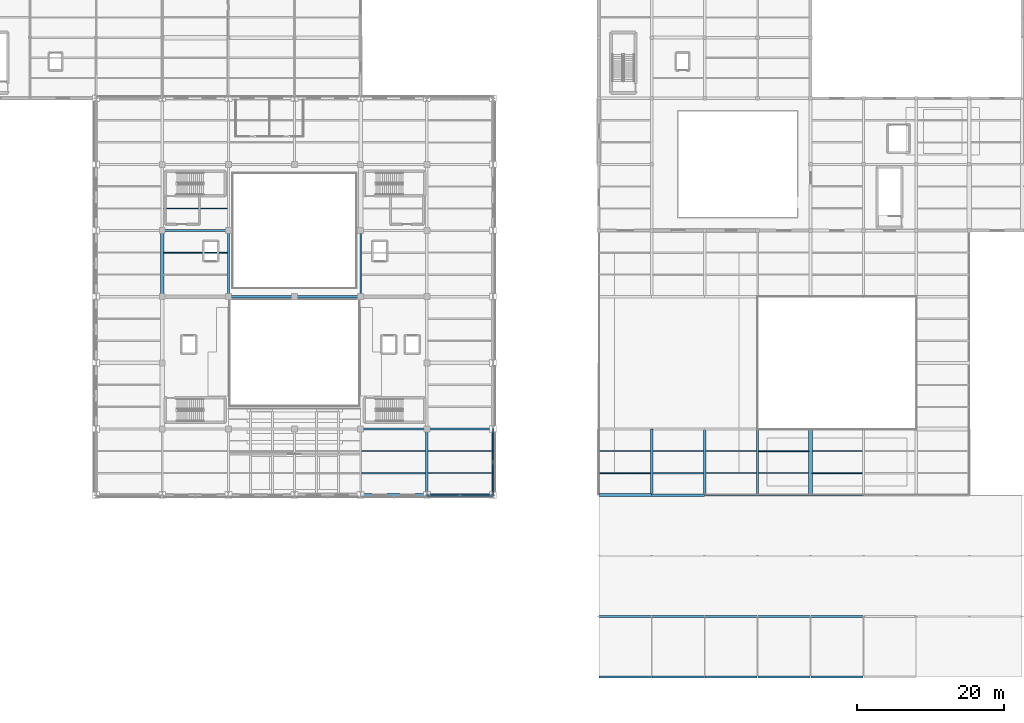
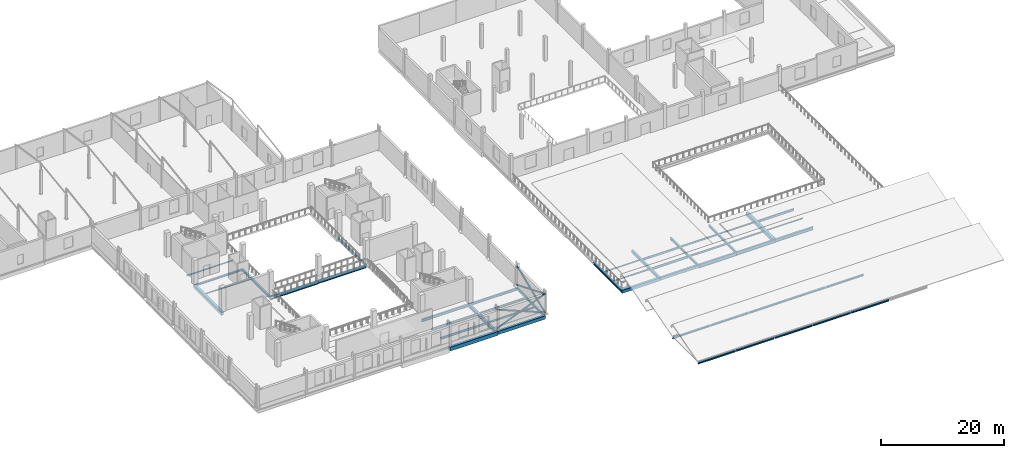
# One storey, part 9 of 54: 48 beams, 6 members.
"""IFC4 building model written with IfcOpenShell, lengths in metres."""

from ifc_helpers import new_model, si_unit, direction, frame, origin, origin_2d, place, context, subcontext, project, spatial, rectangle, hollow_circle, i_section, extrude, material, material_profile, profile_set, type_object, element, save


model = new_model("IFC4")

# Units and contexts
model_context = context("Model", 3, precision=1e-05, world=origin(), true_north=direction((0.0, 1.0)))
body_context = subcontext(model_context, "Body", "Model", "MODEL_VIEW")
ifc_project = project(units=[si_unit("LENGTHUNIT", "METRE"), si_unit("AREAUNIT", "SQUARE_METRE"), si_unit("VOLUMEUNIT", "CUBIC_METRE"), si_unit("PLANEANGLEUNIT", "RADIAN"), si_unit("MASSUNIT", "GRAM", prefix="KILO")], contexts=[model_context])

# Site, building, storey
site_placement = place(None, origin())
site = spatial("IfcSite", under=ifc_project, at=site_placement, CompositionType="ELEMENT")
building_placement = place(site_placement, origin())
building = spatial("IfcBuilding", under=site, at=building_placement, Name="Sundgate Opera House", CompositionType="ELEMENT")
storey_placement = place(building_placement, frame((0.0, 0.0, 16.800048828125)))
storey = spatial("IfcBuildingStorey", under=building, at=storey_placement, Name="L03", CompositionType="ELEMENT", Elevation=16.800048828125)

# Beams
ifc_material_1 = material(Name="Steel S355J2", Category="steel")
ifc_material_profile_1 = material_profile(ifc_material_1, i_section(OverallWidth=0.300048828125, OverallDepth=0.330078125, WebThickness=0.009521484375, FlangeThickness=0.0166015625, at=origin_2d()), Name="HEA 340")
ifc_profile_set_1 = profile_set([ifc_material_profile_1], Name="Steel S355J2")
beam_type_1 = type_object("IfcBeamType", Name="BM-GR-HEA340", PredefinedType="BEAM", material=ifc_profile_set_1)
beam_1_placement = place(storey_placement, frame((36.0, 69.0, -0.445068359375), z_axis=(1.0, 0.0, 0.0), x_axis=(0.0, 1.0, 0.0)))
element("IfcBeam", 1, at=beam_1_placement, inside=storey, type_object=beam_type_1, Name="L03 Primary E-W Girder B2622", PredefinedType="BEAM", context=body_context, shape_type="SweptSolid", body=[
    extrude(i_section(OverallWidth=0.300048828125, OverallDepth=0.330078125, WebThickness=0.009521484375, FlangeThickness=0.0166015625, at=origin_2d()), origin(), (0.0, 0.0, 1.0), 9.0),
])
ifc_material_2 = material(Name="Steel S355J2", Category="steel")
ifc_material_profile_2 = material_profile(ifc_material_2, i_section(OverallWidth=0.300048828125, OverallDepth=0.35009765625, WebThickness=0.010009765625, FlangeThickness=0.017578125, at=origin_2d()), Name="HEA 360")
ifc_profile_set_2 = profile_set([ifc_material_profile_2], Name="Steel S355J2")
beam_type_2 = type_object("IfcBeamType", Name="BM-GR-HEA360", PredefinedType="BEAM", material=ifc_profile_set_2)
beam_2_placement = place(storey_placement, frame((95.39990234375, 33.0, -0.485107421875), z_axis=(0.0, 1.0, 0.0), x_axis=(-1.0, 0.0, 0.0)))
element("IfcBeam", 2, at=beam_2_placement, inside=storey, type_object=beam_type_2, Name="L03 Primary N-S Girder B2511", PredefinedType="BEAM", context=body_context, shape_type="SweptSolid", body=[
    extrude(i_section(OverallWidth=0.300048828125, OverallDepth=0.35009765625, WebThickness=0.010009765625, FlangeThickness=0.017578125, at=origin_2d()), origin(), (0.0, 0.0, 1.0), 9.0),
])
ifc_material_3 = material(Name="Steel S355J2", Category="steel")
ifc_material_profile_3 = material_profile(ifc_material_3, i_section(OverallWidth=0.300048828125, OverallDepth=0.389892578125, WebThickness=0.010986328125, FlangeThickness=0.01904296875, at=origin_2d()), Name="HEA 400")
ifc_profile_set_3 = profile_set([ifc_material_profile_3], Name="Steel S355J2")
beam_type_3 = type_object("IfcBeamType", Name="BM-GR-HEA400", PredefinedType="BEAM", material=ifc_profile_set_3)
beam_3_placement = place(storey_placement, frame((117.0, 33.0, -0.505126953125), z_axis=(0.0, 1.0, 0.0), x_axis=(-1.0, 0.0, 0.0)))
element("IfcBeam", 3, at=beam_3_placement, inside=storey, type_object=beam_type_3, Name="L03 Primary N-S Girder B2532", PredefinedType="BEAM", context=body_context, shape_type="SweptSolid", body=[
    extrude(i_section(OverallWidth=0.300048828125, OverallDepth=0.389892578125, WebThickness=0.010986328125, FlangeThickness=0.01904296875, at=origin_2d()), origin(), (0.0, 0.0, 1.0), 9.0),
])
ifc_material_4 = material(Name="Steel S355J2", Category="steel")
ifc_material_profile_4 = material_profile(ifc_material_4, i_section(OverallWidth=0.300048828125, OverallDepth=0.43994140625, WebThickness=0.011474609375, FlangeThickness=0.02099609375, at=origin_2d()), Name="HEA 450")
ifc_profile_set_4 = profile_set([ifc_material_profile_4], Name="Steel S355J2")
beam_type_4 = type_object("IfcBeamType", Name="BM-GR-HEA450", PredefinedType="BEAM", material=ifc_profile_set_4)
beam_4_placement = place(storey_placement, frame((72.0, 42.0, -0.5), z_axis=(1.0, 0.0, 0.0), x_axis=(0.0, 1.0, 0.0)))
element("IfcBeam", 4, at=beam_4_placement, inside=storey, type_object=beam_type_4, Name="L03 Primary E-W Girder B2597", PredefinedType="BEAM", context=body_context, shape_type="SweptSolid", body=[
    extrude(i_section(OverallWidth=0.300048828125, OverallDepth=0.43994140625, WebThickness=0.011474609375, FlangeThickness=0.02099609375, at=origin_2d()), origin(), (0.0, 0.0, 1.0), 9.0),
])
ifc_material_5 = material(Name="Steel S355J2", Category="steel")
ifc_material_profile_5 = material_profile(ifc_material_5, i_section(OverallWidth=0.300048828125, OverallDepth=0.489990234375, WebThickness=0.011962890625, FlangeThickness=0.02294921875, at=origin_2d()), Name="HEA 500")
ifc_profile_set_5 = profile_set([ifc_material_profile_5], Name="Steel S355J2")
beam_type_5 = type_object("IfcBeamType", Name="BM-GR-HEA500", PredefinedType="BEAM", material=ifc_profile_set_5)
beam_5_placement = place(storey_placement, frame((63.0, 42.0, -0.525146484375), z_axis=(1.0, 0.0, 0.0), x_axis=(0.0, 1.0, 0.0)))
element("IfcBeam", 5, at=beam_5_placement, inside=storey, type_object=beam_type_5, Name="L03 Primary E-W Girder B2596", PredefinedType="BEAM", context=body_context, shape_type="SweptSolid", body=[
    extrude(i_section(OverallWidth=0.300048828125, OverallDepth=0.489990234375, WebThickness=0.011962890625, FlangeThickness=0.02294921875, at=origin_2d()), origin(), (0.0, 0.0, 1.0), 9.0),
])
ifc_material_6 = material(Name="Steel S355J2", Category="steel")
ifc_material_profile_6 = material_profile(ifc_material_6, i_section(OverallWidth=0.300048828125, OverallDepth=0.39990234375, WebThickness=0.013427734375, FlangeThickness=0.02392578125, at=origin_2d()), Name="HEB 400")
ifc_profile_set_6 = profile_set([ifc_material_profile_6], Name="Steel S355J2")
beam_type_6 = type_object("IfcBeamType", Name="BM-GR-HEB400", PredefinedType="BEAM", material=ifc_profile_set_6)
for number, where, z_axis, x_axis, name in (
    (6, (81.0, 33.0, -0.47998046875), (0.0, 1.0, 0.0), (-1.0, 0.0, 0.0), "L03 Primary N-S Girder B2505"),
    (7, (109.800048828125, 33.0, -0.510009765625), (0.0, 1.0, 0.0), (-1.0, 0.0, 0.0), "L03 Primary N-S Girder B2527"),
):
    element("IfcBeam", number, at=place(storey_placement, frame(where, z_axis=z_axis, x_axis=x_axis)), inside=storey, type_object=beam_type_6, Name=name, PredefinedType="BEAM", context=body_context, shape_type="SweptSolid", body=[
        extrude(i_section(OverallWidth=0.300048828125, OverallDepth=0.39990234375, WebThickness=0.013427734375, FlangeThickness=0.02392578125, at=origin_2d()), origin(), (0.0, 0.0, 1.0), 9.0),
    ])
ifc_material_7 = material(Name="Steel S355J2", Category="steel")
ifc_material_profile_7 = material_profile(ifc_material_7, i_section(OverallWidth=0.300048828125, OverallDepth=0.5, WebThickness=0.014404296875, FlangeThickness=0.028076171875, at=origin_2d()), Name="HEB 500")
ifc_profile_set_7 = profile_set([ifc_material_profile_7], Name="Steel S355J2")
beam_type_7 = type_object("IfcBeamType", Name="BM-GR-HEB500", PredefinedType="BEAM", material=ifc_profile_set_7)
beam_6_placement = place(storey_placement, frame((45.0, 60.0, -0.530029296875), z_axis=(0.0, 1.0, 0.0), x_axis=(-1.0, 0.0, 0.0)))
element("IfcBeam", 8, at=beam_6_placement, inside=storey, type_object=beam_type_7, Name="L03 Primary N-S Girder B2481", PredefinedType="BEAM", context=body_context, shape_type="SweptSolid", body=[
    extrude(i_section(OverallWidth=0.300048828125, OverallDepth=0.5, WebThickness=0.014404296875, FlangeThickness=0.028076171875, at=origin_2d()), origin(), (0.0, 0.0, 1.0), 9.0),
])
ifc_material_8 = material(Name="Steel S355J2", Category="steel")
ifc_material_profile_8 = material_profile(ifc_material_8, i_section(OverallWidth=0.300048828125, OverallDepth=0.60009765625, WebThickness=0.015380859375, FlangeThickness=0.030029296875, at=origin_2d()), Name="HEB 600")
ifc_profile_set_8 = profile_set([ifc_material_profile_8], Name="Steel S355J2")
beam_type_8 = type_object("IfcBeamType", Name="BM-GR-HEB600", PredefinedType="BEAM", material=ifc_profile_set_8)
beam_7_placement = place(storey_placement, frame((124.199951171875, 33.0, -0.610107421875), z_axis=(1.0, 0.0, 0.0), x_axis=(0.0, 1.0, 0.0)))
element("IfcBeam", 9, at=beam_7_placement, inside=storey, type_object=beam_type_8, Name="L03 Primary E-W Girder B2589", PredefinedType="BEAM", context=body_context, shape_type="SweptSolid", body=[
    extrude(i_section(OverallWidth=0.300048828125, OverallDepth=0.60009765625, WebThickness=0.015380859375, FlangeThickness=0.030029296875, at=origin_2d()), origin(), (0.0, 0.0, 1.0), 7.199951171875),
])
beam_8_placement = place(storey_placement, frame((54.0, 60.0, -0.580078125), z_axis=(1.0, 0.0, 0.0), x_axis=(0.0, 1.0, 0.0)))
element("IfcBeam", 10, at=beam_8_placement, inside=storey, type_object=beam_type_8, Name="L03 Primary E-W Girder B2611", PredefinedType="BEAM", context=body_context, shape_type="SweptSolid", body=[
    extrude(i_section(OverallWidth=0.300048828125, OverallDepth=0.60009765625, WebThickness=0.015380859375, FlangeThickness=0.030029296875, at=origin_2d()), origin(), (0.0, 0.0, 1.0), 9.0),
])
ifc_material_9 = material(Name="Steel S355J2", Category="steel")
ifc_material_profile_9 = material_profile(ifc_material_9, i_section(OverallWidth=0.300048828125, OverallDepth=0.64990234375, WebThickness=0.01611328125, FlangeThickness=0.031005859375, at=origin_2d()), Name="HEB 650")
ifc_profile_set_9 = profile_set([ifc_material_profile_9], Name="Steel S355J2")
beam_type_9 = type_object("IfcBeamType", Name="BM-GR-HEB650", PredefinedType="BEAM", material=ifc_profile_set_9)
beam_9_placement = place(storey_placement, frame((117.0, 33.0, -0.635009765625), z_axis=(1.0, 0.0, 0.0), x_axis=(0.0, 1.0, 0.0)))
element("IfcBeam", 11, at=beam_9_placement, inside=storey, type_object=beam_type_9, Name="L03 Primary E-W Girder B2588", PredefinedType="BEAM", context=body_context, shape_type="SweptSolid", body=[
    extrude(i_section(OverallWidth=0.300048828125, OverallDepth=0.64990234375, WebThickness=0.01611328125, FlangeThickness=0.031005859375, at=origin_2d()), origin(), (0.0, 0.0, 1.0), 7.199951171875),
])
beam_10_placement = place(storey_placement, frame((45.0, 60.0, -0.60498046875), z_axis=(1.0, 0.0, 0.0), x_axis=(0.0, 1.0, 0.0)))
element("IfcBeam", 12, at=beam_10_placement, inside=storey, type_object=beam_type_9, Name="L03 Primary E-W Girder B2610", PredefinedType="BEAM", context=body_context, shape_type="SweptSolid", body=[
    extrude(i_section(OverallWidth=0.300048828125, OverallDepth=0.64990234375, WebThickness=0.01611328125, FlangeThickness=0.031005859375, at=origin_2d()), origin(), (0.0, 0.0, 1.0), 9.0),
])
ifc_material_10 = material(Name="Steel S355J2", Category="steel")
ifc_material_profile_10 = material_profile(ifc_material_10, i_section(OverallWidth=0.300048828125, OverallDepth=0.699951171875, WebThickness=0.01708984375, FlangeThickness=0.031982421875, at=origin_2d()), Name="HEB 700")
ifc_profile_set_10 = profile_set([ifc_material_profile_10], Name="Steel S355J2")
beam_type_10 = type_object("IfcBeamType", Name="BM-GR-HEB700", PredefinedType="BEAM", material=ifc_profile_set_10)
beam_11_placement = place(storey_placement, frame((72.0, 33.0, -0.630126953125), z_axis=(0.0, 1.0, 0.0), x_axis=(-1.0, 0.0, 0.0)))
element("IfcBeam", 13, at=beam_11_placement, inside=storey, type_object=beam_type_10, Name="L03 Primary N-S Girder B2499", PredefinedType="BEAM", context=body_context, shape_type="SweptSolid", body=[
    extrude(i_section(OverallWidth=0.300048828125, OverallDepth=0.699951171875, WebThickness=0.01708984375, FlangeThickness=0.031982421875, at=origin_2d()), origin(), (0.0, 0.0, 1.0), 9.0),
])
beam_12_placement = place(storey_placement, frame((109.800048828125, 33.0, -0.66015625), z_axis=(1.0, 0.0, 0.0), x_axis=(0.0, 1.0, 0.0)))
element("IfcBeam", 14, at=beam_12_placement, inside=storey, type_object=beam_type_10, Name="L03 Primary E-W Girder B2587", PredefinedType="BEAM", context=body_context, shape_type="SweptSolid", body=[
    extrude(i_section(OverallWidth=0.300048828125, OverallDepth=0.699951171875, WebThickness=0.01708984375, FlangeThickness=0.031982421875, at=origin_2d()), origin(), (0.0, 0.0, 1.0), 7.199951171875),
])
ifc_material_11 = material(Name="Steel S355J2", Category="steel")
ifc_material_profile_11 = material_profile(ifc_material_11, i_section(OverallWidth=0.199951171875, OverallDepth=0.5, WebThickness=0.01025390625, FlangeThickness=0.01611328125, at=origin_2d()), Name="IPE 500")
ifc_profile_set_11 = profile_set([ifc_material_profile_11], Name="Steel S355J2")
beam_type_11 = type_object("IfcBeamType", Name="BM-GR-IPE500", PredefinedType="BEAM", material=ifc_profile_set_11)
beam_13_placement = place(storey_placement, frame((63.0, 60.0, -0.530029296875), z_axis=(0.0, 1.0, 0.0), x_axis=(-1.0, 0.0, 0.0)))
element("IfcBeam", 15, at=beam_13_placement, inside=storey, type_object=beam_type_11, Name="L03 Primary N-S Girder B2493", PredefinedType="BEAM", context=body_context, shape_type="SweptSolid", body=[
    extrude(i_section(OverallWidth=0.199951171875, OverallDepth=0.5, WebThickness=0.01025390625, FlangeThickness=0.01611328125, at=origin_2d()), origin(), (0.0, 0.0, 1.0), 9.0),
])
ifc_material_12 = material(Name="Steel S355J2", Category="steel")
ifc_material_profile_12 = material_profile(ifc_material_12, i_section(OverallWidth=0.1201171875, OverallDepth=0.239990234375, WebThickness=0.006103515625, FlangeThickness=0.009765625, at=origin_2d()), Name="IPE 240")
ifc_profile_set_12 = profile_set([ifc_material_profile_12], Name="Steel S355J2")
beam_type_12 = type_object("IfcBeamType", Name="BM-JS-IPE240", PredefinedType="JOIST", material=ifc_profile_set_12)
beam_14_placement = place(storey_placement, frame((95.550048828125, 39.0, -0.429931640625), z_axis=(1.0, 0.0, 0.0), x_axis=(0.0, 1.0, 0.0)))
element("IfcBeam", 16, at=beam_14_placement, inside=storey, type_object=beam_type_12, Name="L03 Secondary Floor Joist B2719", PredefinedType="JOIST", context=body_context, shape_type="SweptSolid", body=[
    extrude(i_section(OverallWidth=0.1201171875, OverallDepth=0.239990234375, WebThickness=0.006103515625, FlangeThickness=0.009765625, at=origin_2d()), origin(), (0.0, 0.0, 1.0), 6.875),
])
beam_15_placement = place(storey_placement, frame((124.449951171875, 36.0, -0.429931640625), z_axis=(1.0, 0.0, 0.0), x_axis=(0.0, 1.0, 0.0)))
element("IfcBeam", 17, at=beam_15_placement, inside=storey, type_object=beam_type_12, Name="L03 Secondary Floor Joist B2726", PredefinedType="JOIST", context=body_context, shape_type="SweptSolid", body=[
    extrude(i_section(OverallWidth=0.1201171875, OverallDepth=0.239990234375, WebThickness=0.006103515625, FlangeThickness=0.009765625, at=origin_2d()), origin(), (0.0, 0.0, 1.0), 6.800048828125),
])
beam_16_placement = place(storey_placement, frame((36.22509765625, 66.0, -0.400146484375), z_axis=(1.0, 0.0, 0.0), x_axis=(0.0, 1.0, 0.0)))
element("IfcBeam", 18, at=beam_16_placement, inside=storey, type_object=beam_type_12, Name="L03 Secondary Floor Joist B2747", PredefinedType="JOIST", context=body_context, shape_type="SweptSolid", body=[
    extrude(i_section(OverallWidth=0.1201171875, OverallDepth=0.239990234375, WebThickness=0.006103515625, FlangeThickness=0.009765625, at=origin_2d()), origin(), (0.0, 0.0, 1.0), 8.625),
])
beam_17_placement = place(storey_placement, frame((36.199951171875, 72.0, -0.400146484375), z_axis=(1.0, 0.0, 0.0), x_axis=(0.0, 1.0, 0.0)))
element("IfcBeam", 19, at=beam_17_placement, inside=storey, type_object=beam_type_12, Name="L03 Secondary Floor Joist B2768", PredefinedType="JOIST", context=body_context, shape_type="SweptSolid", body=[
    extrude(i_section(OverallWidth=0.1201171875, OverallDepth=0.239990234375, WebThickness=0.006103515625, FlangeThickness=0.009765625, at=origin_2d()), origin(), (0.0, 0.0, 1.0), 8.650146484375),
])
ifc_material_13 = material(Name="Steel S355J2", Category="steel")
ifc_material_profile_13 = material_profile(ifc_material_13, i_section(OverallWidth=0.135009765625, OverallDepth=0.27001953125, WebThickness=0.006591796875, FlangeThickness=0.01025390625, at=origin_2d()), Name="IPE 270")
ifc_profile_set_13 = profile_set([ifc_material_profile_13], Name="Steel S355J2")
beam_type_13 = type_object("IfcBeamType", Name="BM-JS-IPE270", PredefinedType="JOIST", material=ifc_profile_set_13)
beam_18_placement = place(storey_placement, frame((95.550048828125, 36.0, -0.445068359375), z_axis=(1.0, 0.0, 0.0), x_axis=(0.0, 1.0, 0.0)))
element("IfcBeam", 20, at=beam_18_placement, inside=storey, type_object=beam_type_13, Name="L03 Secondary Floor Joist B2718", PredefinedType="JOIST", context=body_context, shape_type="SweptSolid", body=[
    extrude(i_section(OverallWidth=0.135009765625, OverallDepth=0.27001953125, WebThickness=0.006591796875, FlangeThickness=0.01025390625, at=origin_2d()), origin(), (0.0, 0.0, 1.0), 6.875),
])
beam_19_placement = place(storey_placement, frame((117.14990234375, 39.0, -0.445068359375), z_axis=(1.0, 0.0, 0.0), x_axis=(0.0, 1.0, 0.0)))
element("IfcBeam", 21, at=beam_19_placement, inside=storey, type_object=beam_type_13, Name="L03 Secondary Floor Joist B2725", PredefinedType="JOIST", context=body_context, shape_type="SweptSolid", body=[
    extrude(i_section(OverallWidth=0.135009765625, OverallDepth=0.27001953125, WebThickness=0.006591796875, FlangeThickness=0.01025390625, at=origin_2d()), origin(), (0.0, 0.0, 1.0), 6.800048828125),
])
ifc_material_14 = material(Name="Steel S355J2", Category="steel")
ifc_material_profile_14 = material_profile(ifc_material_14, i_section(OverallWidth=0.14990234375, OverallDepth=0.300048828125, WebThickness=0.007080078125, FlangeThickness=0.0107421875, at=origin_2d()), Name="IPE 300")
ifc_profile_set_14 = profile_set([ifc_material_profile_14], Name="Steel S355J2")
beam_type_14 = type_object("IfcBeamType", Name="BM-JS-IPE300", PredefinedType="JOIST", material=ifc_profile_set_14)
beam_20_placement = place(storey_placement, frame((72.14990234375, 39.0, -0.429931640625), z_axis=(1.0, 0.0, 0.0), x_axis=(0.0, 1.0, 0.0)))
element("IfcBeam", 22, at=beam_20_placement, inside=storey, type_object=beam_type_14, Name="L03 Secondary Floor Joist B2717", PredefinedType="JOIST", context=body_context, shape_type="SweptSolid", body=[
    extrude(i_section(OverallWidth=0.14990234375, OverallDepth=0.300048828125, WebThickness=0.007080078125, FlangeThickness=0.0107421875, at=origin_2d()), origin(), (0.0, 0.0, 1.0), 8.7001953125),
])
beam_21_placement = place(storey_placement, frame((117.14990234375, 36.0, -0.4599609375), z_axis=(1.0, 0.0, 0.0), x_axis=(0.0, 1.0, 0.0)))
element("IfcBeam", 23, at=beam_21_placement, inside=storey, type_object=beam_type_14, Name="L03 Secondary Floor Joist B2724", PredefinedType="JOIST", context=body_context, shape_type="SweptSolid", body=[
    extrude(i_section(OverallWidth=0.14990234375, OverallDepth=0.300048828125, WebThickness=0.007080078125, FlangeThickness=0.0107421875, at=origin_2d()), origin(), (0.0, 0.0, 1.0), 6.800048828125),
])
ifc_material_15 = material(Name="Steel S355J2", Category="steel")
ifc_material_profile_15 = material_profile(ifc_material_15, i_section(OverallWidth=0.159912109375, OverallDepth=0.330078125, WebThickness=0.007568359375, FlangeThickness=0.011474609375, at=origin_2d()), Name="IPE 330")
ifc_profile_set_15 = profile_set([ifc_material_profile_15], Name="Steel S355J2")
beam_type_15 = type_object("IfcBeamType", Name="BM-JS-IPE330", PredefinedType="JOIST", material=ifc_profile_set_15)
beam_22_placement = place(storey_placement, frame((72.14990234375, 36.0, -0.445068359375), z_axis=(1.0, 0.0, 0.0), x_axis=(0.0, 1.0, 0.0)))
element("IfcBeam", 24, at=beam_22_placement, inside=storey, type_object=beam_type_15, Name="L03 Secondary Floor Joist B2716", PredefinedType="JOIST", context=body_context, shape_type="SweptSolid", body=[
    extrude(i_section(OverallWidth=0.159912109375, OverallDepth=0.330078125, WebThickness=0.007568359375, FlangeThickness=0.011474609375, at=origin_2d()), origin(), (0.0, 0.0, 1.0), 8.7001953125),
])
beam_23_placement = place(storey_placement, frame((109.949951171875, 39.0, -0.47509765625), z_axis=(1.0, 0.0, 0.0), x_axis=(0.0, 1.0, 0.0)))
element("IfcBeam", 25, at=beam_23_placement, inside=storey, type_object=beam_type_15, Name="L03 Secondary Floor Joist B2723", PredefinedType="JOIST", context=body_context, shape_type="SweptSolid", body=[
    extrude(i_section(OverallWidth=0.159912109375, OverallDepth=0.330078125, WebThickness=0.007568359375, FlangeThickness=0.011474609375, at=origin_2d()), origin(), (0.0, 0.0, 1.0), 6.900146484375),
])
ifc_material_16 = material(Name="Steel S355J2", Category="steel")
ifc_material_profile_16 = material_profile(ifc_material_16, i_section(OverallWidth=0.169921875, OverallDepth=0.360107421875, WebThickness=0.008056640625, FlangeThickness=0.0126953125, at=origin_2d()), Name="IPE 360")
ifc_profile_set_16 = profile_set([ifc_material_profile_16], Name="Steel S355J2")
beam_type_16 = type_object("IfcBeamType", Name="BM-JS-IPE360", PredefinedType="JOIST", material=ifc_profile_set_16)
beam_24_placement = place(storey_placement, frame((63.10498046875, 39.0, -0.4599609375), z_axis=(1.0, 0.0, 0.0), x_axis=(0.0, 1.0, 0.0)))
element("IfcBeam", 26, at=beam_24_placement, inside=storey, type_object=beam_type_16, Name="L03 Secondary Floor Joist B2715", PredefinedType="JOIST", context=body_context, shape_type="SweptSolid", body=[
    extrude(i_section(OverallWidth=0.169921875, OverallDepth=0.360107421875, WebThickness=0.008056640625, FlangeThickness=0.0126953125, at=origin_2d()), origin(), (0.0, 0.0, 1.0), 8.7451171875),
])
beam_25_placement = place(storey_placement, frame((109.949951171875, 36.0, -0.489990234375), z_axis=(1.0, 0.0, 0.0), x_axis=(0.0, 1.0, 0.0)))
element("IfcBeam", 27, at=beam_25_placement, inside=storey, type_object=beam_type_16, Name="L03 Secondary Floor Joist B2722", PredefinedType="JOIST", context=body_context, shape_type="SweptSolid", body=[
    extrude(i_section(OverallWidth=0.169921875, OverallDepth=0.360107421875, WebThickness=0.008056640625, FlangeThickness=0.0126953125, at=origin_2d()), origin(), (0.0, 0.0, 1.0), 6.900146484375),
])
ifc_material_17 = material(Name="Steel S355J2", Category="steel")
ifc_material_profile_17 = material_profile(ifc_material_17, i_section(OverallWidth=0.179931640625, OverallDepth=0.39990234375, WebThickness=0.008544921875, FlangeThickness=0.013427734375, at=origin_2d()), Name="IPE 400")
ifc_profile_set_17 = profile_set([ifc_material_profile_17], Name="Steel S355J2")
beam_type_17 = type_object("IfcBeamType", Name="BM-JS-IPE400", PredefinedType="JOIST", material=ifc_profile_set_17)
beam_26_placement = place(storey_placement, frame((63.10498046875, 36.0, -0.47998046875), z_axis=(1.0, 0.0, 0.0), x_axis=(0.0, 1.0, 0.0)))
element("IfcBeam", 28, at=beam_26_placement, inside=storey, type_object=beam_type_17, Name="L03 Secondary Floor Joist B2714", PredefinedType="JOIST", context=body_context, shape_type="SweptSolid", body=[
    extrude(i_section(OverallWidth=0.179931640625, OverallDepth=0.39990234375, WebThickness=0.008544921875, FlangeThickness=0.013427734375, at=origin_2d()), origin(), (0.0, 0.0, 1.0), 8.7451171875),
])
beam_27_placement = place(storey_placement, frame((102.77490234375, 39.0, -0.510009765625), z_axis=(1.0, 0.0, 0.0), x_axis=(0.0, 1.0, 0.0)))
element("IfcBeam", 29, at=beam_27_placement, inside=storey, type_object=beam_type_17, Name="L03 Secondary Floor Joist B2721", PredefinedType="JOIST", context=body_context, shape_type="SweptSolid", body=[
    extrude(i_section(OverallWidth=0.179931640625, OverallDepth=0.39990234375, WebThickness=0.008544921875, FlangeThickness=0.013427734375, at=origin_2d()), origin(), (0.0, 0.0, 1.0), 6.875),
])
ifc_material_18 = material(Name="Steel S355J2", Category="steel")
ifc_material_profile_18 = material_profile(ifc_material_18, i_section(OverallWidth=0.18994140625, OverallDepth=0.449951171875, WebThickness=0.009521484375, FlangeThickness=0.0146484375, at=origin_2d()), Name="IPE 450")
ifc_profile_set_18 = profile_set([ifc_material_profile_18], Name="Steel S355J2")
beam_type_18 = type_object("IfcBeamType", Name="BM-JS-IPE450", PredefinedType="JOIST", material=ifc_profile_set_18)
beam_28_placement = place(storey_placement, frame((102.77490234375, 36.0, -0.53515625), z_axis=(1.0, 0.0, 0.0), x_axis=(0.0, 1.0, 0.0)))
element("IfcBeam", 30, at=beam_28_placement, inside=storey, type_object=beam_type_18, Name="L03 Secondary Floor Joist B2720", PredefinedType="JOIST", context=body_context, shape_type="SweptSolid", body=[
    extrude(i_section(OverallWidth=0.18994140625, OverallDepth=0.449951171875, WebThickness=0.009521484375, FlangeThickness=0.0146484375, at=origin_2d()), origin(), (0.0, 0.0, 1.0), 6.875),
])
beam_29_placement = place(storey_placement, frame((124.449951171875, 39.0, -0.53515625), z_axis=(1.0, 0.0, 0.0), x_axis=(0.0, 1.0, 0.0)))
element("IfcBeam", 31, at=beam_29_placement, inside=storey, type_object=beam_type_18, Name="L03 Secondary Floor Joist B2727", PredefinedType="JOIST", context=body_context, shape_type="SweptSolid", body=[
    extrude(i_section(OverallWidth=0.18994140625, OverallDepth=0.449951171875, WebThickness=0.009521484375, FlangeThickness=0.0146484375, at=origin_2d()), origin(), (0.0, 0.0, 1.0), 6.800048828125),
])
ifc_material_19 = material(Name="Steel S355J2", Category="steel")
ifc_material_profile_19 = material_profile(ifc_material_19, i_section(OverallWidth=0.300048828125, OverallDepth=0.2900390625, WebThickness=0.008544921875, FlangeThickness=0.013916015625, at=origin_2d()), Name="HEA 300")
ifc_profile_set_19 = profile_set([ifc_material_profile_19], Name="Steel S355J2")
beam_type_19 = type_object("IfcBeamType", Name="BM-LN-HEA300", PredefinedType="LINTEL", material=ifc_profile_set_19)
for number, where, z_axis, x_axis, name in (
    (32, (95.449951171875, 8.25, 0.114990234375), (1.0, 0.0, 0.0), (0.0, 1.0, 0.0), "L03 Roof Cap Support Beam B3438"),
    (33, (95.449951171875, 16.5, 0.114990234375), (1.0, 0.0, 0.0), (0.0, 1.0, 0.0), "L03 Roof Cap Support Beam B3439"),
    (34, (102.64990234375, 8.25, 0.114990234375), (1.0, 0.0, 0.0), (0.0, 1.0, 0.0), "L03 Roof Cap Support Beam B3440"),
    (35, (102.64990234375, 16.5, 0.114990234375), (1.0, 0.0, 0.0), (0.0, 1.0, 0.0), "L03 Roof Cap Support Beam B3441"),
):
    element("IfcBeam", number, at=place(storey_placement, frame(where, z_axis=z_axis, x_axis=x_axis)), inside=storey, type_object=beam_type_19, Name=name, PredefinedType="LINTEL", context=body_context, shape_type="SweptSolid", body=[
        extrude(i_section(OverallWidth=0.300048828125, OverallDepth=0.2900390625, WebThickness=0.008544921875, FlangeThickness=0.013916015625, at=origin_2d()), origin(), (0.0, 0.0, 1.0), 7.10009765625),
    ])
for number, where, z_axis, x_axis, name in (
    (36, (109.85009765625, 8.25, 0.114990234375), (1.0, 0.0, 0.0), (0.0, 1.0, 0.0), "L03 Roof Cap Support Beam B3442"),
    (37, (109.85009765625, 16.5, 0.114990234375), (1.0, 0.0, 0.0), (0.0, 1.0, 0.0), "L03 Roof Cap Support Beam B3443"),
    (38, (117.050048828125, 8.25, 0.114990234375), (1.0, 0.0, 0.0), (0.0, 1.0, 0.0), "L03 Roof Cap Support Beam B3444"),
    (39, (117.050048828125, 16.5, 0.114990234375), (1.0, 0.0, 0.0), (0.0, 1.0, 0.0), "L03 Roof Cap Support Beam B3445"),
):
    element("IfcBeam", number, at=place(storey_placement, frame(where, z_axis=z_axis, x_axis=x_axis)), inside=storey, type_object=beam_type_19, Name=name, PredefinedType="LINTEL", context=body_context, shape_type="SweptSolid", body=[
        extrude(i_section(OverallWidth=0.300048828125, OverallDepth=0.2900390625, WebThickness=0.008544921875, FlangeThickness=0.013916015625, at=origin_2d()), origin(), (0.0, 0.0, 1.0), 7.099853515625),
    ])
for number, where, z_axis, x_axis, name in (
    (40, (124.25, 8.25, 0.114990234375), (1.0, 0.0, 0.0), (0.0, 1.0, 0.0), "L03 Roof Cap Support Beam B3446"),
    (41, (124.25, 16.5, 0.114990234375), (1.0, 0.0, 0.0), (0.0, 1.0, 0.0), "L03 Roof Cap Support Beam B3447"),
):
    element("IfcBeam", number, at=place(storey_placement, frame(where, z_axis=z_axis, x_axis=x_axis)), inside=storey, type_object=beam_type_19, Name=name, PredefinedType="LINTEL", context=body_context, shape_type="SweptSolid", body=[
        extrude(i_section(OverallWidth=0.300048828125, OverallDepth=0.2900390625, WebThickness=0.008544921875, FlangeThickness=0.013916015625, at=origin_2d()), origin(), (0.0, 0.0, 1.0), 7.10009765625),
    ])
ifc_material_20 = material(Name="Concrete C35/45", Category="concrete")
ifc_material_profile_20 = material_profile(ifc_material_20, rectangle(XDim=0.35009765625, YDim=0.550048828125, at=origin_2d()), Name="RC 350x550")
ifc_profile_set_20 = profile_set([ifc_material_profile_20], Name="Concrete C35/45")
beam_type_20 = type_object("IfcBeamType", Name="BM-RC-350x550", PredefinedType="BEAM", material=ifc_profile_set_20)
beam_30_placement = place(storey_placement, frame((102.60009765625, 33.0, -0.5849609375), z_axis=(0.0, 1.0, 0.0), x_axis=(-1.0, 0.0, 0.0)))
element("IfcBeam", 42, at=beam_30_placement, inside=storey, type_object=beam_type_20, Name="L03 Primary N-S Girder B2520", PredefinedType="BEAM", context=body_context, shape_type="SweptSolid", body=[
    extrude(rectangle(XDim=0.35009765625, YDim=0.550048828125, at=origin_2d()), origin(), (0.0, 0.0, 1.0), 9.0),
])
beam_31_placement = place(storey_placement, frame((102.60009765625, 33.0, -0.5849609375), z_axis=(1.0, 0.0, 0.0), x_axis=(0.0, 1.0, 0.0)))
element("IfcBeam", 43, at=beam_31_placement, inside=storey, type_object=beam_type_20, Name="L03 Primary E-W Girder B2586", PredefinedType="BEAM", context=body_context, shape_type="SweptSolid", body=[
    extrude(rectangle(XDim=0.35009765625, YDim=0.550048828125, at=origin_2d()), origin(), (0.0, 0.0, 1.0), 7.199951171875),
])
ifc_material_21 = material(Name="Concrete C35/45", Category="concrete")
ifc_material_profile_21 = material_profile(ifc_material_21, rectangle(XDim=0.39990234375, YDim=0.60009765625, at=origin_2d()), Name="RC 400x600")
ifc_profile_set_21 = profile_set([ifc_material_profile_21], Name="Concrete C35/45")
beam_type_21 = type_object("IfcBeamType", Name="BM-RC-400x600", PredefinedType="BEAM", material=ifc_profile_set_21)
beam_32_placement = place(storey_placement, frame((95.39990234375, 33.0, -0.610107421875), z_axis=(1.0, 0.0, 0.0), x_axis=(0.0, 1.0, 0.0)))
element("IfcBeam", 44, at=beam_32_placement, inside=storey, type_object=beam_type_21, Name="L03 Primary E-W Girder B2585", PredefinedType="BEAM", context=body_context, shape_type="SweptSolid", body=[
    extrude(rectangle(XDim=0.39990234375, YDim=0.60009765625, at=origin_2d()), origin(), (0.0, 0.0, 1.0), 7.2001953125),
])
ifc_material_22 = material(Name="Concrete C35/45", Category="concrete")
ifc_material_profile_22 = material_profile(ifc_material_22, rectangle(XDim=0.449951171875, YDim=0.64990234375, at=origin_2d()), Name="RC 450x650")
ifc_profile_set_22 = profile_set([ifc_material_profile_22], Name="Concrete C35/45")
beam_type_22 = type_object("IfcBeamType", Name="BM-RC-450x650", PredefinedType="BEAM", material=ifc_profile_set_22)
for number, where, z_axis, x_axis, name in (
    (45, (36.0, 60.0, -0.60498046875), (0.0, 1.0, 0.0), (-1.0, 0.0, 0.0), "L03 Primary N-S Girder B2474"),
    (46, (72.0, 33.0, -0.60498046875), (1.0, 0.0, 0.0), (0.0, 1.0, 0.0), "L03 Primary E-W Girder B2584"),
):
    element("IfcBeam", number, at=place(storey_placement, frame(where, z_axis=z_axis, x_axis=x_axis)), inside=storey, type_object=beam_type_22, Name=name, PredefinedType="BEAM", context=body_context, shape_type="SweptSolid", body=[
        extrude(rectangle(XDim=0.449951171875, YDim=0.64990234375, at=origin_2d()), origin(), (0.0, 0.0, 1.0), 9.0),
    ])
ifc_material_23 = material(Name="Concrete C40/50", Category="concrete")
ifc_material_profile_23 = material_profile(ifc_material_23, rectangle(XDim=0.5, YDim=0.75, at=origin_2d()), Name="RC 500x750")
ifc_profile_set_23 = profile_set([ifc_material_profile_23], Name="Concrete C40/50")
beam_type_23 = type_object("IfcBeamType", Name="BM-RC-500x750", PredefinedType="BEAM", material=ifc_profile_set_23)
for number, where, z_axis, x_axis, name in (
    (47, (124.199951171875, 33.0, -0.68505859375), (0.0, 1.0, 0.0), (-1.0, 0.0, 0.0), "L03 Primary N-S Girder B2539"),
    (48, (63.0, 33.0, -0.655029296875), (1.0, 0.0, 0.0), (0.0, 1.0, 0.0), "L03 Primary E-W Girder B2583"),
):
    element("IfcBeam", number, at=place(storey_placement, frame(where, z_axis=z_axis, x_axis=x_axis)), inside=storey, type_object=beam_type_23, Name=name, PredefinedType="BEAM", context=body_context, shape_type="SweptSolid", body=[
        extrude(rectangle(XDim=0.5, YDim=0.75, at=origin_2d()), origin(), (0.0, 0.0, 1.0), 9.0),
    ])

# Members
ifc_material_24 = material(Name="Steel S355J2", Category="steel")
ifc_material_profile_24 = material_profile(ifc_material_24, hollow_circle(Radius=0.161865234375, WallThickness=0.01611328125, at=origin_2d()), Name="CHS 323.9x16.0")
ifc_profile_set_24 = profile_set([ifc_material_profile_24], Name="Steel S355J2")
member_type = type_object("IfcMemberType", Name="MB-BRC-CHS324", PredefinedType="BRACE", material=ifc_profile_set_24)
member_1_placement = place(storey_placement, frame((72.0, 33.0, 0.25), z_axis=(0.924892546912, 0.0, 0.380228584756), x_axis=(0.0, 1.0, 0.0)))
element("IfcMember", 49, at=member_1_placement, inside=storey, type_object=member_type, Name="L03 Belt-Truss Continuous Diagonal M0019", PredefinedType="BRACE", context=body_context, shape_type="SweptSolid", body=[
    extrude(hollow_circle(Radius=0.161865234375, WallThickness=0.01611328125, at=origin_2d()), origin(), (0.0, 0.0, 1.0), 9.73095703125),
])
member_2_placement = place(storey_placement, frame((81.0, 33.0, 0.25), z_axis=(-0.924899297094, 0.0, 0.380212164765), x_axis=(0.0, -1.0, 0.0)))
element("IfcMember", 50, at=member_2_placement, inside=storey, type_object=member_type, Name="L03 Belt-Truss Lower Half Diagonal M0020", PredefinedType="BRACE", context=body_context, shape_type="SweptSolid", body=[
    extrude(hollow_circle(Radius=0.161865234375, WallThickness=0.01611328125, at=origin_2d()), origin(), (0.0, 0.0, 1.0), 4.705322265625),
])
member_3_placement = place(storey_placement, frame((76.35205078125, 33.0, 2.16064453125), z_axis=(-0.924881050669, 0.0, 0.380256547759), x_axis=(0.0, -1.0, 0.0)))
element("IfcMember", 51, at=member_3_placement, inside=storey, type_object=member_type, Name="L03 Belt-Truss Upper Half Diagonal MS010", PredefinedType="BRACE", context=body_context, shape_type="SweptSolid", body=[
    extrude(hollow_circle(Radius=0.161865234375, WallThickness=0.01611328125, at=origin_2d()), origin(), (0.0, 0.0, 1.0), 4.70556640625),
])
member_4_placement = place(storey_placement, frame((81.0, 33.0, 0.25), z_axis=(0.0, 0.924892546912, 0.380228584756), x_axis=(-1.0, 0.0, 0.0)))
element("IfcMember", 52, at=member_4_placement, inside=storey, type_object=member_type, Name="L03 Belt-Truss Continuous Diagonal M0029", PredefinedType="BRACE", context=body_context, shape_type="SweptSolid", body=[
    extrude(hollow_circle(Radius=0.161865234375, WallThickness=0.01611328125, at=origin_2d()), origin(), (0.0, 0.0, 1.0), 9.73095703125),
])
member_5_placement = place(storey_placement, frame((81.0, 42.0, 0.25), z_axis=(0.0, -0.924899297094, 0.380212164765), x_axis=(1.0, 0.0, 0.0)))
element("IfcMember", 53, at=member_5_placement, inside=storey, type_object=member_type, Name="L03 Belt-Truss Lower Half Diagonal M0030", PredefinedType="BRACE", context=body_context, shape_type="SweptSolid", body=[
    extrude(hollow_circle(Radius=0.161865234375, WallThickness=0.01611328125, at=origin_2d()), origin(), (0.0, 0.0, 1.0), 4.705322265625),
])
member_6_placement = place(storey_placement, frame((81.0, 37.35205078125, 2.16064453125), z_axis=(0.0, -0.924881050669, 0.380256547759), x_axis=(1.0, 0.0, 0.0)))
element("IfcMember", 54, at=member_6_placement, inside=storey, type_object=member_type, Name="L03 Belt-Truss Upper Half Diagonal MS015", PredefinedType="BRACE", context=body_context, shape_type="SweptSolid", body=[
    extrude(hollow_circle(Radius=0.161865234375, WallThickness=0.01611328125, at=origin_2d()), origin(), (0.0, 0.0, 1.0), 4.70556640625),
])

save(model, "model.ifc")
